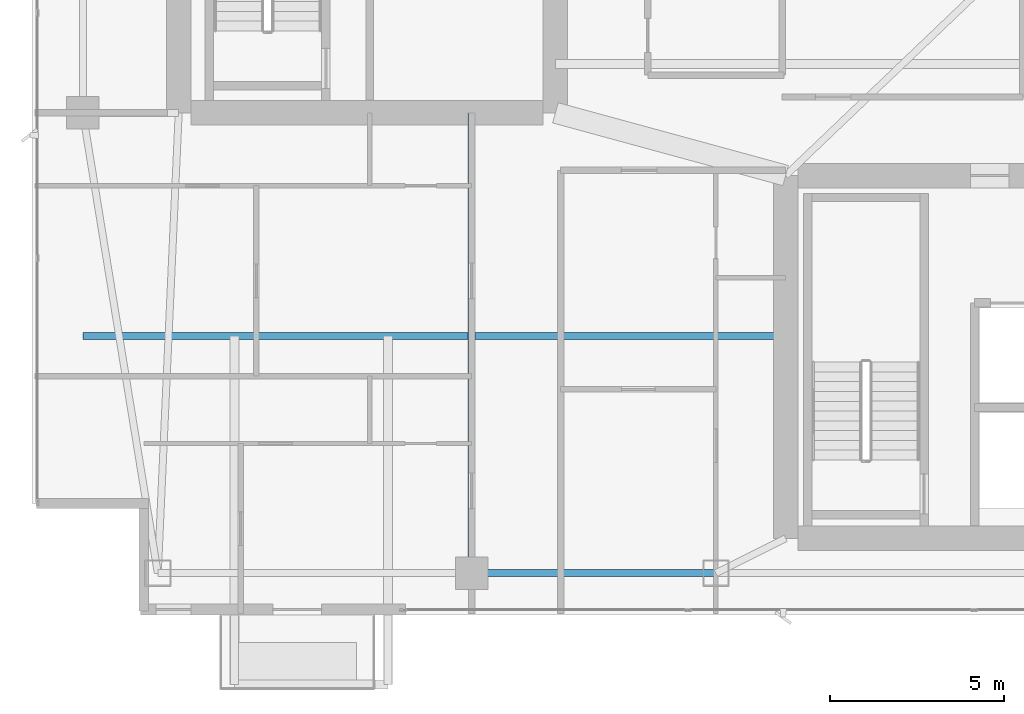
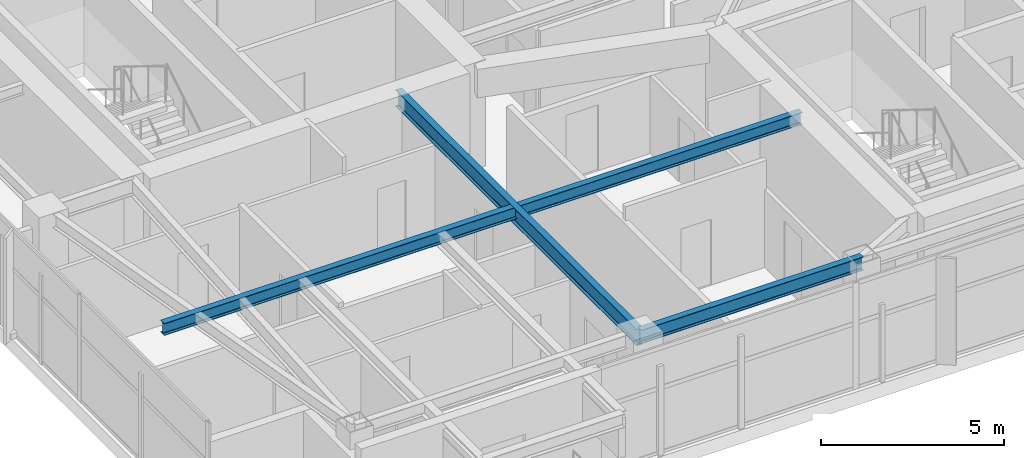
# One storey, part 5 of 28: 3 beams.
"""IFC4 building model written with IfcOpenShell, lengths in metres."""

from ifc_helpers import new_model, si_unit, direction, frame, origin, origin_2d, place, context, subcontext, project, spatial, i_section, extrude, material, material_profile, profile_set, type_object, element, save


model = new_model("IFC4")

# Units and contexts
model_context = context("Model", 3, precision=1e-05, world=origin(), true_north=direction((0.0, 1.0)))
body_context = subcontext(model_context, "Body", "Model", "MODEL_VIEW")
ifc_project = project(units=[si_unit("LENGTHUNIT", "METRE"), si_unit("AREAUNIT", "SQUARE_METRE"), si_unit("VOLUMEUNIT", "CUBIC_METRE"), si_unit("PLANEANGLEUNIT", "RADIAN"), si_unit("MASSUNIT", "GRAM", prefix="KILO")], contexts=[model_context])

# Site, building, storey
site_placement = place(None, origin())
site = spatial("IfcSite", under=ifc_project, at=site_placement, CompositionType="ELEMENT")
building_placement = place(site_placement, origin())
building = spatial("IfcBuilding", under=site, at=building_placement, Name="Calvorn Quay Hotel", CompositionType="ELEMENT")
storey_placement = place(building_placement, frame((0.0, 0.0, 243.800048828125)))
storey = spatial("IfcBuildingStorey", under=building, at=storey_placement, Name="L60", CompositionType="ELEMENT", Elevation=243.800048828125)

# Beams
ifc_material_1 = material(Name="Steel Q355B", Category="steel")
ifc_material_profile_1 = material_profile(ifc_material_1, i_section(OverallWidth=0.199951171875, OverallDepth=0.550048828125, WebThickness=0.010009765625, FlangeThickness=0.01611328125, FilletRadius=0.01806640625, at=origin_2d()), Name="HN550x200x10x16")
ifc_profile_set_1 = profile_set([ifc_material_profile_1], Name="Steel Q355B")
beam_type_1 = type_object("IfcBeamType", Name="BM-GIRD-UPP", PredefinedType="BEAM", material=ifc_profile_set_1)
beam_1_placement = place(storey_placement, frame((12.60009765625, 3.60009765625, 3.264892578125), z_axis=(0.0, 1.0, 0.0), x_axis=(-1.0, 0.0, 0.0)))
element("IfcBeam", 1, at=beam_1_placement, inside=storey, type_object=beam_type_1, Name="Beam BG-L60-S1", PredefinedType="BEAM", context=body_context, shape_type="SweptSolid", body=[
    extrude(i_section(OverallWidth=0.199951171875, OverallDepth=0.550048828125, WebThickness=0.010009765625, FlangeThickness=0.01611328125, FilletRadius=0.01806640625, at=origin_2d()), origin(), (0.0, 0.0, 1.0), 13.199951171875),
])
ifc_material_2 = material(Name="Steel Q355B", Category="steel")
ifc_material_profile_2 = material_profile(ifc_material_2, i_section(OverallWidth=0.199951171875, OverallDepth=0.39990234375, WebThickness=0.008056640625, FlangeThickness=0.012939453125, FilletRadius=0.01611328125, at=origin_2d()), Name="HN400x200x8x13")
ifc_profile_set_2 = profile_set([ifc_material_profile_2], Name="Steel Q355B")
beam_type_2 = type_object("IfcBeamType", Name="BM-JOIST-TYP", PredefinedType="JOIST", material=ifc_profile_set_2)
beam_2_placement = place(storey_placement, frame((1.449951171875, 10.39990234375, 3.33984375), z_axis=(1.0, 0.0, 0.0), x_axis=(0.0, 1.0, 0.0)))
element("IfcBeam", 2, at=beam_2_placement, inside=storey, type_object=beam_type_2, Name="Beam BJ-L60-W1", PredefinedType="JOIST", context=body_context, shape_type="SweptSolid", body=[
    extrude(i_section(OverallWidth=0.199951171875, OverallDepth=0.39990234375, WebThickness=0.008056640625, FlangeThickness=0.012939453125, FilletRadius=0.01611328125, at=origin_2d()), origin(), (0.0, 0.0, 1.0), 20.150146484375),
])
ifc_material_3 = material(Name="Steel Q355B", Category="steel")
ifc_material_profile_3 = material_profile(ifc_material_3, i_section(OverallWidth=0.199951171875, OverallDepth=0.449951171875, WebThickness=0.009033203125, FlangeThickness=0.013916015625, FilletRadius=0.01611328125, at=origin_2d()), Name="HN450x200x9x14")
ifc_profile_set_3 = profile_set([ifc_material_profile_3], Name="Steel Q355B")
beam_type_3 = type_object("IfcBeamType", Name="BM-SPANDREL-Z3", PredefinedType="SPANDREL", material=ifc_profile_set_3)
beam_3_placement = place(storey_placement, frame((12.60009765625, 3.60009765625, 3.31494140625), z_axis=(1.0, 0.0, 0.0), x_axis=(0.0, 1.0, 0.0)))
element("IfcBeam", 3, at=beam_3_placement, inside=storey, type_object=beam_type_3, Name="Beam BSP-L60-S2", PredefinedType="SPANDREL", context=body_context, shape_type="SweptSolid", body=[
    extrude(i_section(OverallWidth=0.199951171875, OverallDepth=0.449951171875, WebThickness=0.009033203125, FlangeThickness=0.013916015625, FilletRadius=0.01611328125, at=origin_2d()), origin(), (0.0, 0.0, 1.0), 7.0),
])

save(model, "model.ifc")
